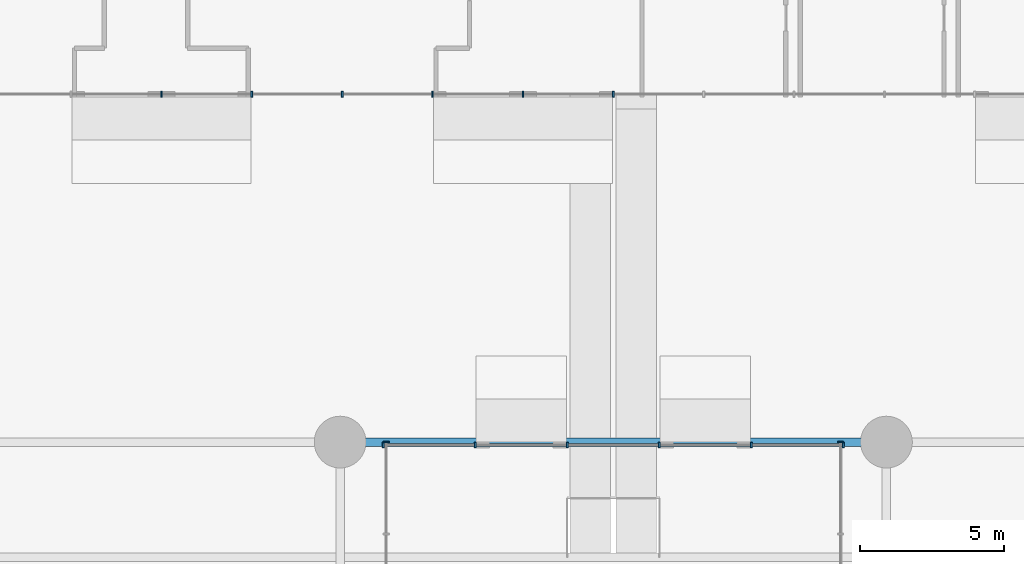
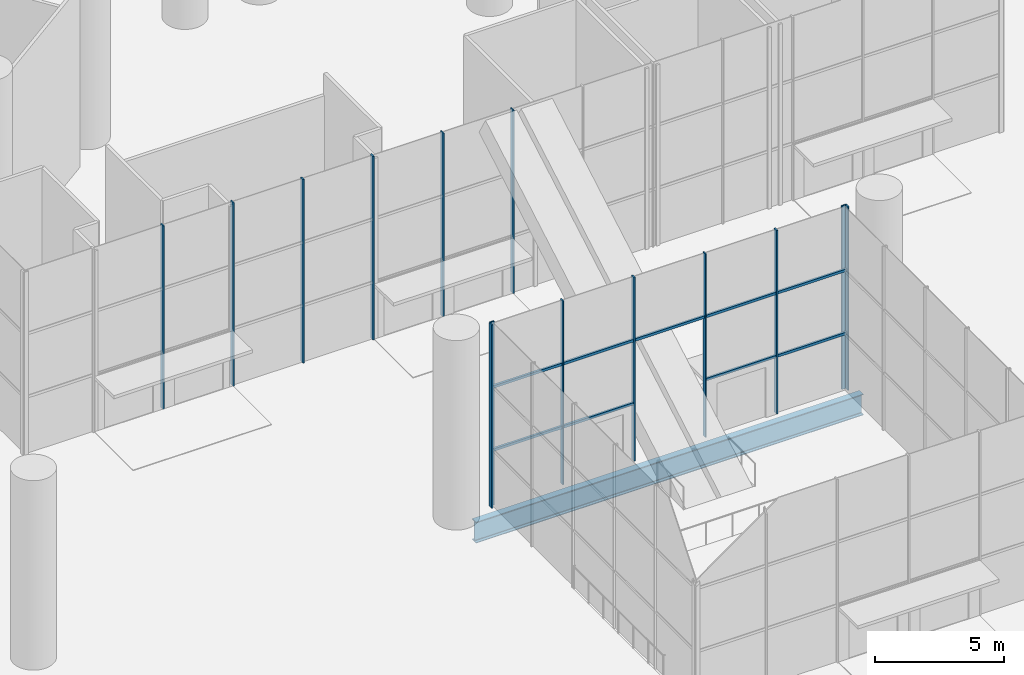
# One storey, part 5 of 37: 17 members, 1 beam, 4 elements without a shape of their own.
"""IFC4 building model written with IfcOpenShell, lengths in metres."""

from ifc_helpers import new_model, si_unit, direction, frame, origin, origin_2d, place, context, subcontext, project, spatial, rectangle, i_section, extrude, material, material_profile, profile_set, type_object, element, aggregate, save


model = new_model("IFC4")

# Units and contexts
model_context = context("Model", 3, precision=1e-05, world=origin(), true_north=direction((0.0, 1.0)))
body_context = subcontext(model_context, "Body", "Model", "MODEL_VIEW")
ifc_project = project(units=[si_unit("LENGTHUNIT", "METRE"), si_unit("AREAUNIT", "SQUARE_METRE"), si_unit("VOLUMEUNIT", "CUBIC_METRE"), si_unit("PLANEANGLEUNIT", "RADIAN"), si_unit("MASSUNIT", "GRAM", prefix="KILO")], contexts=[model_context])

# Site, building, storey
site_placement = place(None, origin())
site = spatial("IfcSite", under=ifc_project, at=site_placement, CompositionType="ELEMENT")
building_placement = place(site_placement, origin())
building = spatial("IfcBuilding", under=site, at=building_placement, Name="Tel Ilan Convention Tower", CompositionType="ELEMENT")
storey_placement = place(building_placement, origin())
storey = spatial("IfcBuildingStorey", under=building, at=storey_placement, Name="L00", CompositionType="ELEMENT", Elevation=0.0)

# Curtain wall, members
ifc_material_1 = material(Name="Aluminium, bronze anodised", Category="aluminium")
curtain_wall_type = type_object("IfcCurtainWallType", Name="CW6 LOBBY PAVILION CURTAIN WALL, CLEAR GLASS", PredefinedType="NOTDEFINED", material=ifc_material_1)
curtain_wall_1_placement = place(storey_placement, origin())
curtain_wall_1 = element("IfcCurtainWall", 1, at=curtain_wall_1_placement, inside=storey, type_object=curtain_wall_type, Name="Curtain wall CW6-03.05", PredefinedType="NOTDEFINED")
ifc_material_2 = material(Name="Aluminium, bronze anodised", Category="aluminium")
ifc_material_profile_1 = material_profile(ifc_material_2, rectangle(XDim=0.06005859375, YDim=0.199951171875, at=origin_2d()), Name="CW MULLION 60x200")
ifc_profile_set_1 = profile_set([ifc_material_profile_1], Name="Aluminium, bronze anodised")
member_type_1 = type_object("IfcMemberType", Name="CW MULLION 60x200", PredefinedType="MULLION", material=ifc_profile_set_1)
member_1_placement = place(storey_placement, frame((0.0, -35.89990234375, 0.0), z_axis=(0.0, 0.0, 1.0), x_axis=(-1.0, 0.0, 0.0)))
member_1 = element("IfcMember", 2, at=member_1_placement, type_object=member_type_1, Name="Mullion", PredefinedType="MULLION", context=body_context, shape_type="SweptSolid", body=[
    extrude(rectangle(XDim=0.06005859375, YDim=0.199951171875, at=origin_2d()), origin(), (0.0, 0.0, 1.0), 8.719970703125),
])
member_2_placement = place(storey_placement, frame((-3.142822265625, -35.89990234375, 0.0), z_axis=(0.0, 0.0, 1.0), x_axis=(-1.0, 0.0, 0.0)))
member_2 = element("IfcMember", 3, at=member_2_placement, type_object=member_type_1, Name="Mullion", PredefinedType="MULLION", context=body_context, shape_type="SweptSolid", body=[
    extrude(rectangle(XDim=0.06005859375, YDim=0.199951171875, at=origin_2d()), origin(), (0.0, 0.0, 1.0), 8.719970703125),
])
member_3_placement = place(storey_placement, frame((-6.28564453125, -35.89990234375, 0.0), z_axis=(0.0, 0.0, 1.0), x_axis=(-1.0, 0.0, 0.0)))
member_3 = element("IfcMember", 4, at=member_3_placement, type_object=member_type_1, Name="Mullion", PredefinedType="MULLION", context=body_context, shape_type="SweptSolid", body=[
    extrude(rectangle(XDim=0.06005859375, YDim=0.199951171875, at=origin_2d()), origin(), (0.0, 0.0, 1.0), 8.719970703125),
])
member_4_placement = place(storey_placement, frame((-9.428466796875, -35.89990234375, 0.0), z_axis=(0.0, 0.0, 1.0), x_axis=(-1.0, 0.0, 0.0)))
member_4 = element("IfcMember", 5, at=member_4_placement, type_object=member_type_1, Name="Mullion", PredefinedType="MULLION", context=body_context, shape_type="SweptSolid", body=[
    extrude(rectangle(XDim=0.06005859375, YDim=0.199951171875, at=origin_2d()), origin(), (0.0, 0.0, 1.0), 8.719970703125),
])
member_5_placement = place(storey_placement, frame((-12.571533203125, -35.89990234375, 0.0), z_axis=(0.0, 0.0, 1.0), x_axis=(-1.0, 0.0, 0.0)))
member_5 = element("IfcMember", 6, at=member_5_placement, type_object=member_type_1, Name="Mullion", PredefinedType="MULLION", context=body_context, shape_type="SweptSolid", body=[
    extrude(rectangle(XDim=0.06005859375, YDim=0.199951171875, at=origin_2d()), origin(), (0.0, 0.0, 1.0), 8.719970703125),
])
member_6_placement = place(storey_placement, frame((-15.71435546875, -35.89990234375, 0.0), z_axis=(0.0, 0.0, 1.0), x_axis=(-1.0, 0.0, 0.0)))
member_6 = element("IfcMember", 7, at=member_6_placement, type_object=member_type_1, Name="Mullion", PredefinedType="MULLION", context=body_context, shape_type="SweptSolid", body=[
    extrude(rectangle(XDim=0.06005859375, YDim=0.199951171875, at=origin_2d()), origin(), (0.0, 0.0, 1.0), 8.719970703125),
])
aggregate(curtain_wall_1, [member_1, member_2, member_3, member_4, member_5, member_6])

# Curtain wall, member
curtain_wall_2_placement = place(storey_placement, origin())
curtain_wall_2 = element("IfcCurtainWall", 8, at=curtain_wall_2_placement, inside=storey, type_object=curtain_wall_type, Name="Curtain wall CW6-03.08", PredefinedType="NOTDEFINED")
member_7_placement = place(storey_placement, frame((7.89990234375, -48.0, 0.0), z_axis=(0.0, 0.0, 1.0), x_axis=(0.0, 1.0, 0.0)))
member_7 = element("IfcMember", 9, at=member_7_placement, type_object=member_type_1, Name="Mullion", PredefinedType="MULLION", context=body_context, shape_type="SweptSolid", body=[
    extrude(rectangle(XDim=0.06005859375, YDim=0.199951171875, at=origin_2d()), origin(), (0.0, 0.0, 1.0), 8.719970703125),
])
aggregate(curtain_wall_2, [member_7])

# Curtain wall, members
curtain_wall_3_placement = place(storey_placement, origin())
curtain_wall_3 = element("IfcCurtainWall", 10, at=curtain_wall_3_placement, inside=storey, type_object=curtain_wall_type, Name="Curtain wall CW6-03.09", PredefinedType="NOTDEFINED")
member_8_placement = place(storey_placement, frame((8.0, -48.10009765625, 0.0), z_axis=(0.0, 0.0, 1.0), x_axis=(-1.0, 0.0, 0.0)))
member_8 = element("IfcMember", 11, at=member_8_placement, type_object=member_type_1, Name="Mullion", PredefinedType="MULLION", context=body_context, shape_type="SweptSolid", body=[
    extrude(rectangle(XDim=0.06005859375, YDim=0.199951171875, at=origin_2d()), origin(), (0.0, 0.0, 1.0), 8.719970703125),
])
member_9_placement = place(storey_placement, frame((4.800048828125, -48.10009765625, 0.0), z_axis=(0.0, 0.0, 1.0), x_axis=(-1.0, 0.0, 0.0)))
member_9 = element("IfcMember", 12, at=member_9_placement, type_object=member_type_1, Name="Mullion", PredefinedType="MULLION", context=body_context, shape_type="SweptSolid", body=[
    extrude(rectangle(XDim=0.06005859375, YDim=0.199951171875, at=origin_2d()), origin(), (0.0, 0.0, 1.0), 8.719970703125),
])
member_10_placement = place(storey_placement, frame((1.60009765625, -48.10009765625, 0.0), z_axis=(0.0, 0.0, 1.0), x_axis=(-1.0, 0.0, 0.0)))
member_10 = element("IfcMember", 13, at=member_10_placement, type_object=member_type_1, Name="Mullion", PredefinedType="MULLION", context=body_context, shape_type="SweptSolid", body=[
    extrude(rectangle(XDim=0.06005859375, YDim=0.199951171875, at=origin_2d()), origin(), (0.0, 0.0, 1.0), 8.719970703125),
])
member_11_placement = place(storey_placement, frame((-1.60009765625, -48.10009765625, 0.0), z_axis=(0.0, 0.0, 1.0), x_axis=(-1.0, 0.0, 0.0)))
member_11 = element("IfcMember", 14, at=member_11_placement, type_object=member_type_1, Name="Mullion", PredefinedType="MULLION", context=body_context, shape_type="SweptSolid", body=[
    extrude(rectangle(XDim=0.06005859375, YDim=0.199951171875, at=origin_2d()), origin(), (0.0, 0.0, 1.0), 8.719970703125),
])
member_12_placement = place(storey_placement, frame((-4.800048828125, -48.10009765625, 0.0), z_axis=(0.0, 0.0, 1.0), x_axis=(-1.0, 0.0, 0.0)))
member_12 = element("IfcMember", 15, at=member_12_placement, type_object=member_type_1, Name="Mullion", PredefinedType="MULLION", context=body_context, shape_type="SweptSolid", body=[
    extrude(rectangle(XDim=0.06005859375, YDim=0.199951171875, at=origin_2d()), origin(), (0.0, 0.0, 1.0), 8.719970703125),
])
member_13_placement = place(storey_placement, frame((-8.0, -48.10009765625, 0.0), z_axis=(0.0, 0.0, 1.0), x_axis=(-1.0, 0.0, 0.0)))
member_13 = element("IfcMember", 16, at=member_13_placement, type_object=member_type_1, Name="Mullion", PredefinedType="MULLION", context=body_context, shape_type="SweptSolid", body=[
    extrude(rectangle(XDim=0.06005859375, YDim=0.199951171875, at=origin_2d()), origin(), (0.0, 0.0, 1.0), 8.719970703125),
])

# Curtain wall, member
curtain_wall_4_placement = place(storey_placement, origin())
curtain_wall_4 = element("IfcCurtainWall", 17, at=curtain_wall_4_placement, inside=storey, type_object=curtain_wall_type, Name="Curtain wall CW6-03.10", PredefinedType="NOTDEFINED")
member_14_placement = place(storey_placement, frame((-7.89990234375, -48.0, 0.0), z_axis=(0.0, 0.0, 1.0), x_axis=(0.0, -1.0, 0.0)))
member_14 = element("IfcMember", 18, at=member_14_placement, type_object=member_type_1, Name="Mullion", PredefinedType="MULLION", context=body_context, shape_type="SweptSolid", body=[
    extrude(rectangle(XDim=0.06005859375, YDim=0.199951171875, at=origin_2d()), origin(), (0.0, 0.0, 1.0), 8.719970703125),
])
aggregate(curtain_wall_4, [member_14])

# Member
ifc_material_3 = material(Name="Aluminium, bronze anodised", Category="aluminium")
ifc_material_profile_2 = material_profile(ifc_material_3, rectangle(XDim=0.10009765625, YDim=0.1201171875, at=origin_2d()), Name="CW TRANSOM 100x120")
ifc_profile_set_2 = profile_set([ifc_material_profile_2], Name="Aluminium, bronze anodised")
member_type_2 = type_object("IfcMemberType", Name="CW TRANSOM 100x120", PredefinedType="USERDEFINED", material=ifc_profile_set_2)
member_15_placement = place(storey_placement, frame((7.969970703125, -48.10009765625, 2.699951171875), z_axis=(-1.0, 0.0, 0.0), x_axis=(0.0, -1.0, 0.0)))
member_15 = element("IfcMember", 19, at=member_15_placement, type_object=member_type_2, Name="Transom", ObjectType="TRANSOM", PredefinedType="USERDEFINED", context=body_context, shape_type="SweptSolid", body=[
    extrude(rectangle(XDim=0.10009765625, YDim=0.1201171875, at=origin_2d()), origin(), (0.0, 0.0, 1.0), 6.369873046875),
])

member_16_placement = place(storey_placement, frame((-1.60009765625, -48.10009765625, 2.699951171875), z_axis=(-1.0, 0.0, 0.0), x_axis=(0.0, -1.0, 0.0)))
member_16 = element("IfcMember", 20, at=member_16_placement, type_object=member_type_2, Name="Transom", ObjectType="TRANSOM", PredefinedType="USERDEFINED", context=body_context, shape_type="SweptSolid", body=[
    extrude(rectangle(XDim=0.10009765625, YDim=0.1201171875, at=origin_2d()), origin(), (0.0, 0.0, 1.0), 6.369873046875),
])

member_17_placement = place(storey_placement, frame((7.969970703125, -48.10009765625, 5.699951171875), z_axis=(-1.0, 0.0, 0.0), x_axis=(0.0, -1.0, 0.0)))
member_17 = element("IfcMember", 21, at=member_17_placement, type_object=member_type_2, Name="Transom", ObjectType="TRANSOM", PredefinedType="USERDEFINED", context=body_context, shape_type="SweptSolid", body=[
    extrude(rectangle(XDim=0.10009765625, YDim=0.1201171875, at=origin_2d()), origin(), (0.0, 0.0, 1.0), 15.93994140625),
])

aggregate(curtain_wall_3, [member_8, member_9, member_10, member_11, member_12, member_13, member_15, member_16, member_17])

# Beam
ifc_material_4 = material(Name="Steel S355", Category="steel")
ifc_material_profile_3 = material_profile(ifc_material_4, i_section(OverallWidth=0.300048828125, OverallDepth=1.0, WebThickness=0.01904296875, FlangeThickness=0.035888671875, FilletRadius=0.030029296875, at=origin_2d()), Name="HEB 1000")
ifc_profile_set_3 = profile_set([ifc_material_profile_3], Name="Steel S355")
beam_type = type_object("IfcBeamType", Name="Girder HEB 1000 Steel S355", PredefinedType="BEAM", material=ifc_profile_set_3)
beam_placement = place(storey_placement, frame((-8.699951171875, -48.0, -0.949951171875), z_axis=(1.0, 0.0, 0.0), x_axis=(0.0, 1.0, 0.0)))
element("IfcBeam", 22, at=beam_placement, inside=storey, type_object=beam_type, Name="L00 beam GX33-4", PredefinedType="BEAM", context=body_context, shape_type="SweptSolid", body=[
    extrude(i_section(OverallWidth=0.300048828125, OverallDepth=1.0, WebThickness=0.01904296875, FlangeThickness=0.035888671875, FilletRadius=0.030029296875, at=origin_2d()), origin(), (0.0, 0.0, 1.0), 17.39990234375),
])

save(model, "model.ifc")
